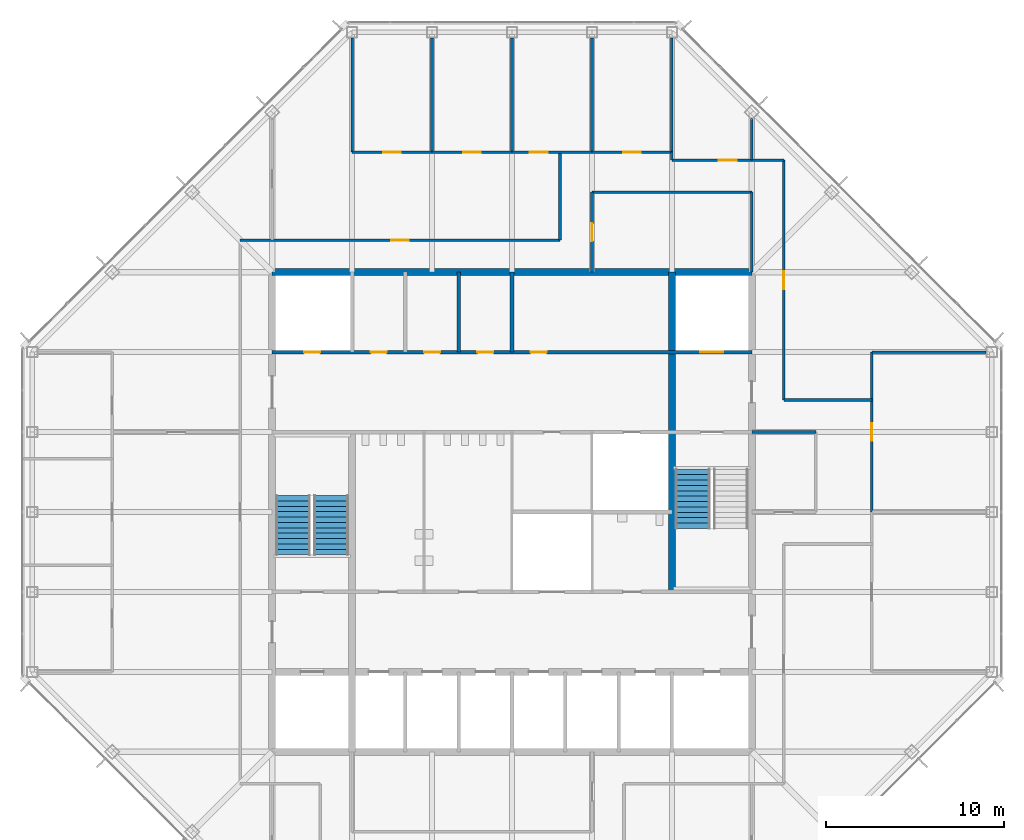
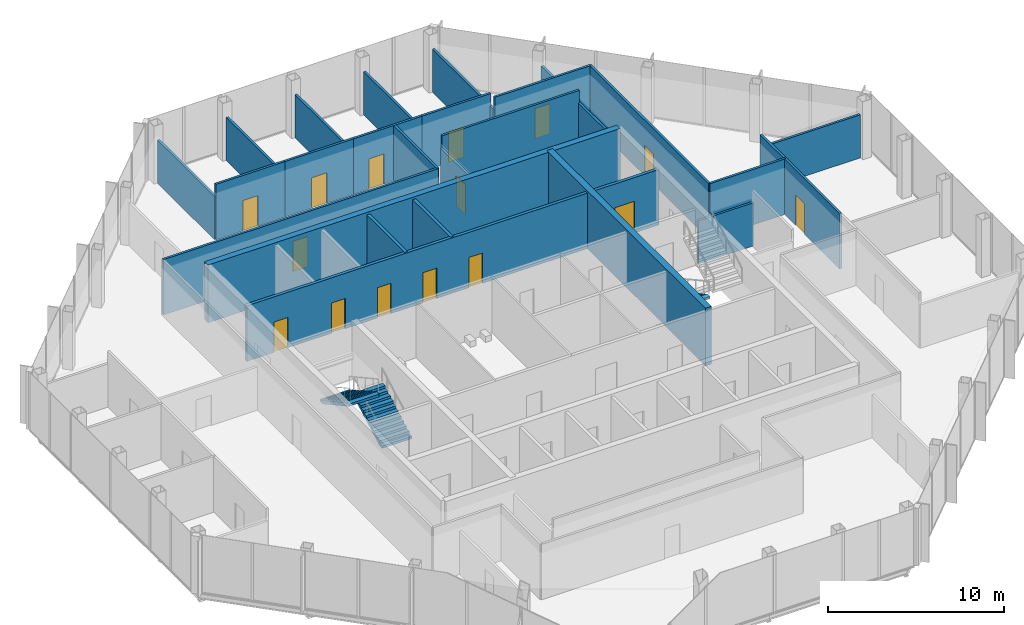
# One storey, part 11 of 14: 27 walls, 15 doors, 3 stair flights, 15 openings, 2 elements without a shape of their own.
"""IFC4 building model written with IfcOpenShell, lengths in metres."""

from ifc_helpers import new_model, si_unit, direction, frame, frame_2d, origin, place, context, subcontext, project, spatial, polyline, rectangle, outline, extrude, material, layer, layer_set, type_object, element, fill, aggregate, save


model = new_model("IFC4")

# Units and contexts
model_context = context("Model", 3, precision=1e-05, world=origin(), true_north=direction((0.0, 1.0)))
body_context = subcontext(model_context, "Body", "Model", "MODEL_VIEW")
ifc_project = project(units=[si_unit("LENGTHUNIT", "METRE"), si_unit("AREAUNIT", "SQUARE_METRE"), si_unit("VOLUMEUNIT", "CUBIC_METRE"), si_unit("PLANEANGLEUNIT", "RADIAN"), si_unit("MASSUNIT", "GRAM", prefix="KILO")], contexts=[model_context])

# Site, building, storey
site_placement = place(None, origin())
site = spatial("IfcSite", under=ifc_project, at=site_placement, CompositionType="ELEMENT")
building_placement = place(site_placement, origin())
building = spatial("IfcBuilding", under=site, at=building_placement, Name="Corais Broadcast Tower", CompositionType="ELEMENT")
storey_placement = place(building_placement, frame((0.0, 0.0, 290.60009765625)))
storey = spatial("IfcBuildingStorey", under=building, at=storey_placement, Name="L68", CompositionType="ELEMENT", Elevation=290.60009765625)

# Walls
ifc_material_1 = material(Name="Concrete C50/60", Category="concrete")
ifc_layer_1 = layer(ifc_material_1, 0.39990234375)
ifc_layer_set_1 = layer_set([ifc_layer_1], Name="Concrete C50/60")
wall_type_1 = type_object("IfcWallType", Name="Core wall 400", PredefinedType="SHEAR", material=ifc_layer_set_1)
wall_1_placement = place(storey_placement, frame((40.5, 40.5, 0.0), z_axis=(0.0, 0.0, 1.0), x_axis=(-1.0, 0.0, 0.0)))
element("IfcWall", 1, at=wall_1_placement, inside=storey, type_object=wall_type_1, Name="CR400 core wall N L68", PredefinedType="SHEAR", context=body_context, shape_type="SweptSolid", body=[
    extrude(rectangle(XDim=27.0, YDim=0.39990234375, at=frame_2d((13.5, 0.0))), origin(), (0.0, 0.0, 1.0), 4.0),
])
wall_2_placement = place(storey_placement, frame((36.0, 22.5, 0.0), z_axis=(0.0, 0.0, 1.0), x_axis=(0.0, 1.0, 0.0)))
element("IfcWall", 2, at=wall_2_placement, inside=storey, type_object=wall_type_1, Name="CR400 core wall X36B L68", PredefinedType="SHEAR", context=body_context, shape_type="SweptSolid", body=[
    extrude(rectangle(XDim=18.0, YDim=0.39990234375, at=frame_2d((9.0, 0.0))), origin(), (0.0, 0.0, 1.0), 4.0),
])

# Wall, openings, doors
ifc_material_2 = material(Name="Concrete blockwork class A, grouted, four-hour", Category="masonry")
ifc_layer_2 = layer(ifc_material_2, 0.199951171875)
ifc_layer_set_2 = layer_set([ifc_layer_2], Name="Concrete blockwork class A, grouted, four-hour")
wall_type_2 = type_object("IfcWallType", Name="Emergency lift shaft wall 200", PredefinedType="SOLIDWALL", material=ifc_layer_set_2)
wall_3_placement = place(storey_placement, frame((13.5, 36.0, 0.0), z_axis=(0.0, 0.0, 1.0), x_axis=(1.0, 0.0, 0.0)))
wall_3 = element("IfcWall", 3, at=wall_3_placement, inside=storey, type_object=wall_type_2, Name="LS3 core lobby wall Y36 L68", PredefinedType="SOLIDWALL", context=body_context, shape_type="SweptSolid", body=[
    extrude(rectangle(XDim=27.0, YDim=0.199951171875, at=frame_2d((13.5, 0.0))), origin(), (0.0, 0.0, 1.0), 3.83984375),
])
opening_1_placement = place(wall_3_placement, frame((1.800048828125, 0.0, 0.0)))
opening_1 = element("IfcOpeningElement", 4, at=opening_1_placement, cuts=wall_3, Name="Opening RD1", PredefinedType="OPENING", context=body_context, shape_type="SweptSolid", body=[
    extrude(rectangle(XDim=0.89990234375, YDim=2.10009765625, at=frame_2d((0.449951171875, 1.050048828125))), frame((0.0, 0.10986328125, 0.0), z_axis=(0.0, -1.0, 0.0), x_axis=(1.0, 0.0, 0.0)), (0.0, 0.0, 1.0), 0.219970703125),
])
opening_2_placement = place(wall_3_placement, frame((5.550048828125, 0.0, 0.0)))
opening_2 = element("IfcOpeningElement", 5, at=opening_2_placement, cuts=wall_3, Name="Opening RD1", PredefinedType="OPENING", context=body_context, shape_type="SweptSolid", body=[
    extrude(rectangle(XDim=0.89990234375, YDim=2.10009765625, at=frame_2d((0.449951171875, 1.050048828125))), frame((0.0, 0.10986328125, 0.0), z_axis=(0.0, -1.0, 0.0), x_axis=(1.0, 0.0, 0.0)), (0.0, 0.0, 1.0), 0.219970703125),
])
opening_3_placement = place(wall_3_placement, frame((8.550048828125, 0.0, 0.0)))
opening_3 = element("IfcOpeningElement", 6, at=opening_3_placement, cuts=wall_3, Name="Opening RD1", PredefinedType="OPENING", context=body_context, shape_type="SweptSolid", body=[
    extrude(rectangle(XDim=0.89990234375, YDim=2.10009765625, at=frame_2d((0.449951171875, 1.050048828125))), frame((0.0, 0.10986328125, 0.0), z_axis=(0.0, -1.0, 0.0), x_axis=(1.0, 0.0, 0.0)), (0.0, 0.0, 1.0), 0.219970703125),
])
opening_4_placement = place(wall_3_placement, frame((11.550048828125, 0.0, 0.0)))
opening_4 = element("IfcOpeningElement", 7, at=opening_4_placement, cuts=wall_3, Name="Opening RD1", PredefinedType="OPENING", context=body_context, shape_type="SweptSolid", body=[
    extrude(rectangle(XDim=0.89990234375, YDim=2.10009765625, at=frame_2d((0.449951171875, 1.050048828125))), frame((0.0, 0.10986328125, 0.0), z_axis=(0.0, -1.0, 0.0), x_axis=(1.0, 0.0, 0.0)), (0.0, 0.0, 1.0), 0.219970703125),
])
opening_5_placement = place(wall_3_placement, frame((14.550048828125, 0.0, 0.0)))
opening_5 = element("IfcOpeningElement", 8, at=opening_5_placement, cuts=wall_3, Name="Opening RD1", PredefinedType="OPENING", context=body_context, shape_type="SweptSolid", body=[
    extrude(rectangle(XDim=0.89990234375, YDim=2.10009765625, at=frame_2d((0.449951171875, 1.050048828125))), frame((0.0, 0.10986328125, 0.0), z_axis=(0.0, -1.0, 0.0), x_axis=(1.0, 0.0, 0.0)), (0.0, 0.0, 1.0), 0.219970703125),
])
opening_6_placement = place(wall_3_placement, frame((24.10009765625, 0.0, 0.0)))
opening_6 = element("IfcOpeningElement", 9, at=opening_6_placement, cuts=wall_3, Name="Opening LD2", PredefinedType="OPENING", context=body_context, shape_type="SweptSolid", body=[
    extrude(rectangle(XDim=1.300048828125, YDim=2.199951171875, at=frame_2d((0.64990234375, 1.10009765625))), frame((0.0, 0.10986328125, 0.0), z_axis=(0.0, -1.0, 0.0), x_axis=(1.0, 0.0, 0.0)), (0.0, 0.0, 1.0), 0.219970703125),
])
ifc_material_3 = material(Name="Stainless steel lift door", Category="steel")
door_type_1 = type_object("IfcDoorType", Name="Lift landing door 1300x2200", OperationType="SLIDING_TO_LEFT", PredefinedType="DOOR", material=ifc_material_3)
door_1_placement = place(opening_6_placement, origin())
door_1 = element("IfcDoor", 10, at=door_1_placement, inside=storey, type_object=door_type_1, Name="LD2 FL2 landing door L68", OperationType="SLIDING_TO_LEFT", OverallHeight=2.199951171875, OverallWidth=1.300048828125, PredefinedType="DOOR", context=body_context, shape_type="SweptSolid", body=[
    extrude(rectangle(XDim=1.300048828125, YDim=2.199951171875, at=frame_2d((0.64990234375, 1.10009765625))), frame((0.0, 0.02490234375, 0.0), z_axis=(0.0, -1.0, 0.0), x_axis=(1.0, 0.0, 0.0)), (0.0, 0.0, 1.0), 0.050048828125),
])
fill(opening_6, door_1)
ifc_material_4 = material(Name="Steel fire door", Category="steel")
door_type_2 = type_object("IfcDoorType", Name="Riser door 900x2100", OperationType="SINGLE_SWING_LEFT", PredefinedType="DOOR", material=ifc_material_4)
door_2_placement = place(opening_1_placement, origin())
door_2 = element("IfcDoor", 11, at=door_2_placement, inside=storey, type_object=door_type_2, Name="RD1 riser door L68", OperationType="SINGLE_SWING_LEFT", OverallHeight=2.10009765625, OverallWidth=0.89990234375, PredefinedType="DOOR", context=body_context, shape_type="SweptSolid", body=[
    extrude(rectangle(XDim=0.89990234375, YDim=2.10009765625, at=frame_2d((0.449951171875, 1.050048828125))), frame((0.0, 0.02490234375, 0.0), z_axis=(0.0, -1.0, 0.0), x_axis=(1.0, 0.0, 0.0)), (0.0, 0.0, 1.0), 0.050048828125),
])
fill(opening_1, door_2)
door_3_placement = place(opening_2_placement, origin())
door_3 = element("IfcDoor", 12, at=door_3_placement, inside=storey, type_object=door_type_2, Name="RD1 vending room door L68", OperationType="SINGLE_SWING_LEFT", OverallHeight=2.10009765625, OverallWidth=0.89990234375, PredefinedType="DOOR", context=body_context, shape_type="SweptSolid", body=[
    extrude(rectangle(XDim=0.89990234375, YDim=2.10009765625, at=frame_2d((0.449951171875, 1.050048828125))), frame((0.0, 0.02490234375, 0.0), z_axis=(0.0, -1.0, 0.0), x_axis=(1.0, 0.0, 0.0)), (0.0, 0.0, 1.0), 0.050048828125),
])
fill(opening_2, door_3)
door_4_placement = place(opening_3_placement, origin())
door_4 = element("IfcDoor", 13, at=door_4_placement, inside=storey, type_object=door_type_2, Name="RD1 av equipment room door L68", OperationType="SINGLE_SWING_LEFT", OverallHeight=2.10009765625, OverallWidth=0.89990234375, PredefinedType="DOOR", context=body_context, shape_type="SweptSolid", body=[
    extrude(rectangle(XDim=0.89990234375, YDim=2.10009765625, at=frame_2d((0.449951171875, 1.050048828125))), frame((0.0, 0.02490234375, 0.0), z_axis=(0.0, -1.0, 0.0), x_axis=(1.0, 0.0, 0.0)), (0.0, 0.0, 1.0), 0.050048828125),
])
fill(opening_3, door_4)
door_5_placement = place(opening_4_placement, origin())
door_5 = element("IfcDoor", 14, at=door_5_placement, inside=storey, type_object=door_type_2, Name="RD1 media store door L68", OperationType="SINGLE_SWING_LEFT", OverallHeight=2.10009765625, OverallWidth=0.89990234375, PredefinedType="DOOR", context=body_context, shape_type="SweptSolid", body=[
    extrude(rectangle(XDim=0.89990234375, YDim=2.10009765625, at=frame_2d((0.449951171875, 1.050048828125))), frame((0.0, 0.02490234375, 0.0), z_axis=(0.0, -1.0, 0.0), x_axis=(1.0, 0.0, 0.0)), (0.0, 0.0, 1.0), 0.050048828125),
])
fill(opening_4, door_5)
door_6_placement = place(opening_5_placement, origin())
door_6 = element("IfcDoor", 15, at=door_6_placement, inside=storey, type_object=door_type_2, Name="RD1 tea point door L68", OperationType="SINGLE_SWING_RIGHT", OverallHeight=2.10009765625, OverallWidth=0.89990234375, PredefinedType="DOOR", context=body_context, shape_type="SweptSolid", body=[
    extrude(rectangle(XDim=0.89990234375, YDim=2.10009765625, at=frame_2d((0.449951171875, 1.050048828125))), frame((0.0, 0.02490234375, 0.0), z_axis=(0.0, -1.0, 0.0), x_axis=(1.0, 0.0, 0.0)), (0.0, 0.0, 1.0), 0.050048828125),
])
fill(opening_5, door_6)

# Wall, opening, door
ifc_material_5 = material(Name="Gypsum board on steel studs", Category="steel")
ifc_layer_3 = layer(ifc_material_5, 0.14990234375)
ifc_layer_set_3 = layer_set([ifc_layer_3], Name="Gypsum board on steel studs")
wall_type_3 = type_object("IfcWallType", Name="Partition 150", PredefinedType="PARTITIONING", material=ifc_layer_set_3)
wall_4_placement = place(storey_placement, frame((29.699951171875, 42.300048828125, 0.0), z_axis=(0.0, 0.0, 1.0), x_axis=(-1.0, 0.0, 0.0)))
wall_4 = element("IfcWall", 16, at=wall_4_placement, inside=storey, type_object=wall_type_3, Name="IW3 corridor wall L68", PredefinedType="PARTITIONING", context=body_context, shape_type="SweptSolid", body=[
    extrude(rectangle(XDim=18.0, YDim=0.14990234375, at=frame_2d((9.0, 0.0))), origin(), (0.0, 0.0, 1.0), 3.83984375),
])
opening_7_placement = place(wall_4_placement, frame((8.5, 0.0, 0.0)))
opening_7 = element("IfcOpeningElement", 17, at=opening_7_placement, cuts=wall_4, Name="Opening D1", PredefinedType="OPENING", context=body_context, shape_type="SweptSolid", body=[
    extrude(rectangle(XDim=1.0, YDim=2.10009765625, at=frame_2d((0.5, 1.050048828125))), frame((0.0, 0.0849609375, 0.0), z_axis=(0.0, -1.0, 0.0), x_axis=(1.0, 0.0, 0.0)), (0.0, 0.0, 1.0), 0.169921875),
])
ifc_material_6 = material(Name="Timber door", Category="wood")
door_type_3 = type_object("IfcDoorType", Name="Single door 1000x2100", OperationType="SINGLE_SWING_LEFT", PredefinedType="DOOR", material=ifc_material_6)
door_7_placement = place(opening_7_placement, origin())
door_7 = element("IfcDoor", 18, at=door_7_placement, inside=storey, type_object=door_type_3, Name="D1 workplace door L68", OperationType="SINGLE_SWING_LEFT", OverallHeight=2.10009765625, OverallWidth=1.0, PredefinedType="DOOR", context=body_context, shape_type="SweptSolid", body=[
    extrude(rectangle(XDim=1.0, YDim=2.10009765625, at=frame_2d((0.5, 1.050048828125))), frame((0.0, 0.02490234375, 0.0), z_axis=(0.0, -1.0, 0.0), x_axis=(1.0, 0.0, 0.0)), (0.0, 0.0, 1.0), 0.050048828125),
])
fill(opening_7, door_7)

# Wall
wall_5_placement = place(storey_placement, frame((29.699951171875, 47.25, 0.0), z_axis=(0.0, 0.0, 1.0), x_axis=(0.0, -1.0, 0.0)))
element("IfcWall", 19, at=wall_5_placement, inside=storey, type_object=wall_type_3, Name="IW3 corridor wall L68", PredefinedType="PARTITIONING", context=body_context, shape_type="SweptSolid", body=[
    extrude(rectangle(XDim=4.949951171875, YDim=0.14990234375, at=frame_2d((2.47509765625, 0.0))), origin(), (0.0, 0.0, 1.0), 3.83984375),
])

# Wall, opening, door
wall_6_placement = place(storey_placement, frame((42.300048828125, 33.300048828125, 0.0), z_axis=(0.0, 0.0, 1.0), x_axis=(0.0, 1.0, 0.0)))
wall_6 = element("IfcWall", 20, at=wall_6_placement, inside=storey, type_object=wall_type_3, Name="IW3 corridor wall L68", PredefinedType="PARTITIONING", context=body_context, shape_type="SweptSolid", body=[
    extrude(rectangle(XDim=13.5, YDim=0.14990234375, at=frame_2d((6.75, 0.0))), origin(), (0.0, 0.0, 1.0), 3.83984375),
])
opening_8_placement = place(wall_6_placement, frame((6.25, 0.0, 0.0)))
opening_8 = element("IfcOpeningElement", 21, at=opening_8_placement, cuts=wall_6, Name="Opening D1", PredefinedType="OPENING", context=body_context, shape_type="SweptSolid", body=[
    extrude(rectangle(XDim=1.0, YDim=2.10009765625, at=frame_2d((0.5, 1.050048828125))), frame((0.0, 0.0849609375, 0.0), z_axis=(0.0, -1.0, 0.0), x_axis=(1.0, 0.0, 0.0)), (0.0, 0.0, 1.0), 0.169921875),
])
door_8_placement = place(opening_8_placement, origin())
door_8 = element("IfcDoor", 22, at=door_8_placement, inside=storey, type_object=door_type_3, Name="D1 workplace door L68", OperationType="SINGLE_SWING_LEFT", OverallHeight=2.10009765625, OverallWidth=1.0, PredefinedType="DOOR", context=body_context, shape_type="SweptSolid", body=[
    extrude(rectangle(XDim=1.0, YDim=2.10009765625, at=frame_2d((0.5, 1.050048828125))), frame((0.0, 0.02490234375, 0.0), z_axis=(0.0, -1.0, 0.0), x_axis=(1.0, 0.0, 0.0)), (0.0, 0.0, 1.0), 0.050048828125),
])
fill(opening_8, door_8)

wall_7_placement = place(storey_placement, frame((42.300048828125, 46.800048828125, 0.0), z_axis=(0.0, 0.0, 1.0), x_axis=(-1.0, 0.0, 0.0)))
wall_7 = element("IfcWall", 23, at=wall_7_placement, inside=storey, type_object=wall_type_3, Name="IW3 corridor wall L68", PredefinedType="PARTITIONING", context=body_context, shape_type="SweptSolid", body=[
    extrude(rectangle(XDim=6.300048828125, YDim=0.14990234375, at=frame_2d((3.14990234375, 0.0))), origin(), (0.0, 0.0, 1.0), 3.83984375),
])
opening_9_placement = place(wall_7_placement, frame((2.64990234375, 0.0, 0.0)))
opening_9 = element("IfcOpeningElement", 24, at=opening_9_placement, cuts=wall_7, Name="Opening D1", PredefinedType="OPENING", context=body_context, shape_type="SweptSolid", body=[
    extrude(rectangle(XDim=1.0, YDim=2.10009765625, at=frame_2d((0.5, 1.050048828125))), frame((0.0, 0.0849609375, 0.0), z_axis=(0.0, -1.0, 0.0), x_axis=(1.0, 0.0, 0.0)), (0.0, 0.0, 1.0), 0.169921875),
])
door_9_placement = place(opening_9_placement, origin())
door_9 = element("IfcDoor", 25, at=door_9_placement, inside=storey, type_object=door_type_3, Name="D1 workplace door L68", OperationType="SINGLE_SWING_LEFT", OverallHeight=2.10009765625, OverallWidth=1.0, PredefinedType="DOOR", context=body_context, shape_type="SweptSolid", body=[
    extrude(rectangle(XDim=1.0, YDim=2.10009765625, at=frame_2d((0.5, 1.050048828125))), frame((0.0, 0.02490234375, 0.0), z_axis=(0.0, -1.0, 0.0), x_axis=(1.0, 0.0, 0.0)), (0.0, 0.0, 1.0), 0.050048828125),
])
fill(opening_9, door_9)

# Walls
wall_8_placement = place(storey_placement, frame((47.25, 33.300048828125, 0.0), z_axis=(0.0, 0.0, 1.0), x_axis=(-1.0, 0.0, 0.0)))
element("IfcWall", 26, at=wall_8_placement, inside=storey, type_object=wall_type_3, Name="IW3 corridor wall L68", PredefinedType="PARTITIONING", context=body_context, shape_type="SweptSolid", body=[
    extrude(rectangle(XDim=4.949951171875, YDim=0.14990234375, at=frame_2d((2.47509765625, 0.0))), origin(), (0.0, 0.0, 1.0), 3.83984375),
])
wall_9_placement = place(storey_placement, frame((36.0, 46.800048828125, 0.0), z_axis=(0.0, 0.0, 1.0), x_axis=(0.0, 1.0, 0.0)))
element("IfcWall", 27, at=wall_9_placement, inside=storey, type_object=wall_type_3, Name="IW3 corridor wall L68", PredefinedType="PARTITIONING", context=body_context, shape_type="SweptSolid", body=[
    extrude(rectangle(XDim=0.4599609375, YDim=0.14990234375, at=frame_2d((0.22998046875, 0.0))), origin(), (0.0, 0.0, 1.0), 2.989013671875),
])
wall_10_placement = place(storey_placement, frame((40.5, 40.5, 0.0), z_axis=(0.0, 0.0, 1.0), x_axis=(0.0, 1.0, 0.0)))
element("IfcWall", 28, at=wall_10_placement, inside=storey, type_object=wall_type_3, Name="IW3 partition L68", PredefinedType="PARTITIONING", context=body_context, shape_type="SweptSolid", body=[
    extrude(rectangle(XDim=4.5, YDim=0.14990234375, at=frame_2d((2.25, 0.0))), origin(), (0.0, 0.0, 1.0), 2.989013671875),
])
wall_11_placement = place(storey_placement, frame((40.5, 45.0, 0.0), z_axis=(0.0, 0.0, 1.0), x_axis=(-1.0, 0.0, 0.0)))
element("IfcWall", 29, at=wall_11_placement, inside=storey, type_object=wall_type_3, Name="IW3 partition L68", PredefinedType="PARTITIONING", context=body_context, shape_type="SweptSolid", body=[
    extrude(rectangle(XDim=9.0, YDim=0.14990234375, at=frame_2d((4.5, 0.0))), origin(), (0.0, 0.0, 1.0), 3.83984375),
])

# Wall, opening, door
wall_12_placement = place(storey_placement, frame((31.5, 45.0, 0.0), z_axis=(0.0, 0.0, 1.0), x_axis=(0.0, -1.0, 0.0)))
wall_12 = element("IfcWall", 30, at=wall_12_placement, inside=storey, type_object=wall_type_3, Name="IW3 partition L68", PredefinedType="PARTITIONING", context=body_context, shape_type="SweptSolid", body=[
    extrude(rectangle(XDim=4.5, YDim=0.14990234375, at=frame_2d((2.25, 0.0))), origin(), (0.0, 0.0, 1.0), 2.989013671875),
])
opening_10_placement = place(wall_12_placement, frame((1.75, 0.0, 0.0)))
opening_10 = element("IfcOpeningElement", 31, at=opening_10_placement, cuts=wall_12, Name="Opening D1", PredefinedType="OPENING", context=body_context, shape_type="SweptSolid", body=[
    extrude(rectangle(XDim=1.0, YDim=2.10009765625, at=frame_2d((0.5, 1.050048828125))), frame((0.0, 0.0849609375, 0.0), z_axis=(0.0, -1.0, 0.0), x_axis=(1.0, 0.0, 0.0)), (0.0, 0.0, 1.0), 0.169921875),
])
door_10_placement = place(opening_10_placement, origin())
door_10 = element("IfcDoor", 32, at=door_10_placement, inside=storey, type_object=door_type_3, Name="D1 Secretariat workroom door", OperationType="SINGLE_SWING_LEFT", OverallHeight=2.10009765625, OverallWidth=1.0, PredefinedType="DOOR", context=body_context, shape_type="SweptSolid", body=[
    extrude(rectangle(XDim=1.0, YDim=2.10009765625, at=frame_2d((0.5, 1.050048828125))), frame((0.0, 0.02490234375, 0.0), z_axis=(0.0, -1.0, 0.0), x_axis=(1.0, 0.0, 0.0)), (0.0, 0.0, 1.0), 0.050048828125),
])
fill(opening_10, door_10)

# Walls
wall_13_placement = place(storey_placement, frame((44.10009765625, 31.5, 0.0), z_axis=(0.0, 0.0, 1.0), x_axis=(-1.0, 0.0, 0.0)))
element("IfcWall", 33, at=wall_13_placement, inside=storey, type_object=wall_type_3, Name="IW3 partition L68", PredefinedType="PARTITIONING", context=body_context, shape_type="SweptSolid", body=[
    extrude(rectangle(XDim=3.60009765625, YDim=0.14990234375, at=frame_2d((1.800048828125, 0.0))), origin(), (0.0, 0.0, 1.0), 2.989013671875),
])
wall_14_placement = place(storey_placement, frame((53.68994140625, 36.0, 0.0), z_axis=(0.0, 0.0, 1.0), x_axis=(-1.0, 0.0, 0.0)))
element("IfcWall", 34, at=wall_14_placement, inside=storey, type_object=wall_type_3, Name="IW3 partition L68", PredefinedType="PARTITIONING", context=body_context, shape_type="SweptSolid", body=[
    extrude(rectangle(XDim=6.43994140625, YDim=0.14990234375, at=frame_2d((3.219970703125, 0.0))), origin(), (0.0, 0.0, 1.0), 2.989013671875),
])

# Wall, opening, door
wall_15_placement = place(storey_placement, frame((47.25, 36.0, 0.0), z_axis=(0.0, 0.0, 1.0), x_axis=(0.0, -1.0, 0.0)))
wall_15 = element("IfcWall", 35, at=wall_15_placement, inside=storey, type_object=wall_type_3, Name="IW3 partition L68", PredefinedType="PARTITIONING", context=body_context, shape_type="SweptSolid", body=[
    extrude(rectangle(XDim=9.0, YDim=0.14990234375, at=frame_2d((4.5, 0.0))), origin(), (0.0, 0.0, 1.0), 3.83984375),
])
opening_11_placement = place(wall_15_placement, frame((4.0, 0.0, 0.0)))
opening_11 = element("IfcOpeningElement", 36, at=opening_11_placement, cuts=wall_15, Name="Opening D1", PredefinedType="OPENING", context=body_context, shape_type="SweptSolid", body=[
    extrude(rectangle(XDim=1.0, YDim=2.10009765625, at=frame_2d((0.5, 1.050048828125))), frame((0.0, 0.0849609375, 0.0), z_axis=(0.0, -1.0, 0.0), x_axis=(1.0, 0.0, 0.0)), (0.0, 0.0, 1.0), 0.169921875),
])
door_11_placement = place(opening_11_placement, origin())
door_11 = element("IfcDoor", 37, at=door_11_placement, inside=storey, type_object=door_type_3, Name="D1 Counsel suite door", OperationType="SINGLE_SWING_LEFT", OverallHeight=2.10009765625, OverallWidth=1.0, PredefinedType="DOOR", context=body_context, shape_type="SweptSolid", body=[
    extrude(rectangle(XDim=1.0, YDim=2.10009765625, at=frame_2d((0.5, 1.050048828125))), frame((0.0, 0.02490234375, 0.0), z_axis=(0.0, -1.0, 0.0), x_axis=(1.0, 0.0, 0.0)), (0.0, 0.0, 1.0), 0.050048828125),
])
fill(opening_11, door_11)

wall_16_placement = place(storey_placement, frame((18.0, 47.25, 0.0), z_axis=(0.0, 0.0, 1.0), x_axis=(1.0, 0.0, 0.0)))
wall_16 = element("IfcWall", 38, at=wall_16_placement, inside=storey, type_object=wall_type_3, Name="IW3 partition L68", PredefinedType="PARTITIONING", context=body_context, shape_type="SweptSolid", body=[
    extrude(rectangle(XDim=4.5, YDim=0.14990234375, at=frame_2d((2.25, 0.0))), origin(), (0.0, 0.0, 1.0), 3.83984375),
])
opening_12_placement = place(wall_16_placement, frame((1.75, 0.0, 0.0)))
opening_12 = element("IfcOpeningElement", 39, at=opening_12_placement, cuts=wall_16, Name="Opening D1", PredefinedType="OPENING", context=body_context, shape_type="SweptSolid", body=[
    extrude(rectangle(XDim=1.0, YDim=2.10009765625, at=frame_2d((0.5, 1.050048828125))), frame((0.0, 0.0849609375, 0.0), z_axis=(0.0, -1.0, 0.0), x_axis=(1.0, 0.0, 0.0)), (0.0, 0.0, 1.0), 0.169921875),
])
door_12_placement = place(opening_12_placement, origin())
door_12 = element("IfcDoor", 40, at=door_12_placement, inside=storey, type_object=door_type_3, Name="D1 Interview room door", OperationType="SINGLE_SWING_LEFT", OverallHeight=2.10009765625, OverallWidth=1.0, PredefinedType="DOOR", context=body_context, shape_type="SweptSolid", body=[
    extrude(rectangle(XDim=1.0, YDim=2.10009765625, at=frame_2d((0.5, 1.050048828125))), frame((0.0, 0.02490234375, 0.0), z_axis=(0.0, -1.0, 0.0), x_axis=(1.0, 0.0, 0.0)), (0.0, 0.0, 1.0), 0.050048828125),
])
fill(opening_12, door_12)

# Walls
for number, where, z_axis, x_axis, name in (
    (41, (22.5, 47.25, 0.0), (0.0, 0.0, 1.0), (0.0, 1.0, 0.0), "IW3 partition L68"),
    (42, (18.0, 53.68994140625, 0.0), (0.0, 0.0, 1.0), (0.0, -1.0, 0.0), "IW3 partition L68"),
):
    element("IfcWall", number, at=place(storey_placement, frame(where, z_axis=z_axis, x_axis=x_axis)), inside=storey, type_object=wall_type_3, Name=name, PredefinedType="PARTITIONING", context=body_context, shape_type="SweptSolid", body=[
        extrude(rectangle(XDim=6.43994140625, YDim=0.14990234375, at=frame_2d((3.219970703125, 0.0))), origin(), (0.0, 0.0, 1.0), 2.989013671875),
    ])

# Wall, opening, door
wall_17_placement = place(storey_placement, frame((22.5, 47.25, 0.0), z_axis=(0.0, 0.0, 1.0), x_axis=(1.0, 0.0, 0.0)))
wall_17 = element("IfcWall", 43, at=wall_17_placement, inside=storey, type_object=wall_type_3, Name="IW3 partition L68", PredefinedType="PARTITIONING", context=body_context, shape_type="SweptSolid", body=[
    extrude(rectangle(XDim=4.5, YDim=0.14990234375, at=frame_2d((2.25, 0.0))), origin(), (0.0, 0.0, 1.0), 3.83984375),
])
opening_13_placement = place(wall_17_placement, frame((1.75, 0.0, 0.0)))
opening_13 = element("IfcOpeningElement", 44, at=opening_13_placement, cuts=wall_17, Name="Opening D1", PredefinedType="OPENING", context=body_context, shape_type="SweptSolid", body=[
    extrude(rectangle(XDim=1.0, YDim=2.10009765625, at=frame_2d((0.5, 1.050048828125))), frame((0.0, 0.0849609375, 0.0), z_axis=(0.0, -1.0, 0.0), x_axis=(1.0, 0.0, 0.0)), (0.0, 0.0, 1.0), 0.169921875),
])
door_13_placement = place(opening_13_placement, origin())
door_13 = element("IfcDoor", 45, at=door_13_placement, inside=storey, type_object=door_type_3, Name="D1 Interview room door", OperationType="SINGLE_SWING_LEFT", OverallHeight=2.10009765625, OverallWidth=1.0, PredefinedType="DOOR", context=body_context, shape_type="SweptSolid", body=[
    extrude(rectangle(XDim=1.0, YDim=2.10009765625, at=frame_2d((0.5, 1.050048828125))), frame((0.0, 0.02490234375, 0.0), z_axis=(0.0, -1.0, 0.0), x_axis=(1.0, 0.0, 0.0)), (0.0, 0.0, 1.0), 0.050048828125),
])
fill(opening_13, door_13)

# Wall
wall_18_placement = place(storey_placement, frame((27.0, 47.25, 0.0), z_axis=(0.0, 0.0, 1.0), x_axis=(0.0, 1.0, 0.0)))
element("IfcWall", 46, at=wall_18_placement, inside=storey, type_object=wall_type_3, Name="IW3 partition L68", PredefinedType="PARTITIONING", context=body_context, shape_type="SweptSolid", body=[
    extrude(rectangle(XDim=6.43994140625, YDim=0.14990234375, at=frame_2d((3.219970703125, 0.0))), origin(), (0.0, 0.0, 1.0), 2.989013671875),
])

# Wall, opening, door
wall_19_placement = place(storey_placement, frame((27.0, 47.25, 0.0), z_axis=(0.0, 0.0, 1.0), x_axis=(1.0, 0.0, 0.0)))
wall_19 = element("IfcWall", 47, at=wall_19_placement, inside=storey, type_object=wall_type_3, Name="IW3 partition L68", PredefinedType="PARTITIONING", context=body_context, shape_type="SweptSolid", body=[
    extrude(rectangle(XDim=4.5, YDim=0.14990234375, at=frame_2d((2.25, 0.0))), origin(), (0.0, 0.0, 1.0), 3.83984375),
])
opening_14_placement = place(wall_19_placement, frame((1.0, 0.0, 0.0)))
opening_14 = element("IfcOpeningElement", 48, at=opening_14_placement, cuts=wall_19, Name="Opening D1", PredefinedType="OPENING", context=body_context, shape_type="SweptSolid", body=[
    extrude(rectangle(XDim=1.0, YDim=2.10009765625, at=frame_2d((0.5, 1.050048828125))), frame((0.0, 0.0849609375, 0.0), z_axis=(0.0, -1.0, 0.0), x_axis=(1.0, 0.0, 0.0)), (0.0, 0.0, 1.0), 0.169921875),
])
door_14_placement = place(opening_14_placement, origin())
door_14 = element("IfcDoor", 49, at=door_14_placement, inside=storey, type_object=door_type_3, Name="D1 Interview room door", OperationType="SINGLE_SWING_LEFT", OverallHeight=2.10009765625, OverallWidth=1.0, PredefinedType="DOOR", context=body_context, shape_type="SweptSolid", body=[
    extrude(rectangle(XDim=1.0, YDim=2.10009765625, at=frame_2d((0.5, 1.050048828125))), frame((0.0, 0.02490234375, 0.0), z_axis=(0.0, -1.0, 0.0), x_axis=(1.0, 0.0, 0.0)), (0.0, 0.0, 1.0), 0.050048828125),
])
fill(opening_14, door_14)

# Wall
wall_20_placement = place(storey_placement, frame((31.5, 47.25, 0.0), z_axis=(0.0, 0.0, 1.0), x_axis=(0.0, 1.0, 0.0)))
element("IfcWall", 50, at=wall_20_placement, inside=storey, type_object=wall_type_3, Name="IW3 partition L68", PredefinedType="PARTITIONING", context=body_context, shape_type="SweptSolid", body=[
    extrude(rectangle(XDim=6.43994140625, YDim=0.14990234375, at=frame_2d((3.219970703125, 0.0))), origin(), (0.0, 0.0, 1.0), 2.989013671875),
])

# Wall, opening, door
wall_21_placement = place(storey_placement, frame((31.5, 47.25, 0.0), z_axis=(0.0, 0.0, 1.0), x_axis=(1.0, 0.0, 0.0)))
wall_21 = element("IfcWall", 51, at=wall_21_placement, inside=storey, type_object=wall_type_3, Name="IW3 partition L68", PredefinedType="PARTITIONING", context=body_context, shape_type="SweptSolid", body=[
    extrude(rectangle(XDim=4.5, YDim=0.14990234375, at=frame_2d((2.25, 0.0))), origin(), (0.0, 0.0, 1.0), 3.83984375),
])
opening_15_placement = place(wall_21_placement, frame((1.75, 0.0, 0.0)))
opening_15 = element("IfcOpeningElement", 52, at=opening_15_placement, cuts=wall_21, Name="Opening D1", PredefinedType="OPENING", context=body_context, shape_type="SweptSolid", body=[
    extrude(rectangle(XDim=1.0, YDim=2.10009765625, at=frame_2d((0.5, 1.050048828125))), frame((0.0, 0.0849609375, 0.0), z_axis=(0.0, -1.0, 0.0), x_axis=(1.0, 0.0, 0.0)), (0.0, 0.0, 1.0), 0.169921875),
])
door_15_placement = place(opening_15_placement, origin())
door_15 = element("IfcDoor", 53, at=door_15_placement, inside=storey, type_object=door_type_3, Name="D1 Interview room door", OperationType="SINGLE_SWING_LEFT", OverallHeight=2.10009765625, OverallWidth=1.0, PredefinedType="DOOR", context=body_context, shape_type="SweptSolid", body=[
    extrude(rectangle(XDim=1.0, YDim=2.10009765625, at=frame_2d((0.5, 1.050048828125))), frame((0.0, 0.02490234375, 0.0), z_axis=(0.0, -1.0, 0.0), x_axis=(1.0, 0.0, 0.0)), (0.0, 0.0, 1.0), 0.050048828125),
])
fill(opening_15, door_15)

# Walls
wall_22_placement = place(storey_placement, frame((36.0, 47.25, 0.0), z_axis=(0.0, 0.0, 1.0), x_axis=(0.0, 1.0, 0.0)))
element("IfcWall", 54, at=wall_22_placement, inside=storey, type_object=wall_type_3, Name="IW3 partition L68", PredefinedType="PARTITIONING", context=body_context, shape_type="SweptSolid", body=[
    extrude(rectangle(XDim=6.43994140625, YDim=0.14990234375, at=frame_2d((3.219970703125, 0.0))), origin(), (0.0, 0.0, 1.0), 2.989013671875),
])
wall_23_placement = place(storey_placement, frame((40.5, 49.179931640625, 0.0), z_axis=(0.0, 0.0, 1.0), x_axis=(0.0, -1.0, 0.0)))
element("IfcWall", 55, at=wall_23_placement, inside=storey, type_object=wall_type_3, Name="IW3 partition L68", PredefinedType="PARTITIONING", context=body_context, shape_type="SweptSolid", body=[
    extrude(rectangle(XDim=2.3798828125, YDim=0.14990234375, at=frame_2d((1.18994140625, 0.0))), origin(), (0.0, 0.0, 1.0), 2.989013671875),
])
ifc_material_7 = material(Name="Concrete blockwork class A, grouted, two-hour", Category="masonry")
ifc_layer_4 = layer(ifc_material_7, 0.199951171875)
ifc_layer_set_4 = layer_set([ifc_layer_4], Name="Concrete blockwork class A, grouted, two-hour")
wall_type_4 = type_object("IfcWallType", Name="Shaft wall 200", PredefinedType="PARTITIONING", material=ifc_layer_set_4)
for number, where, z_axis, x_axis, name in (
    (56, (24.0, 36.0, 0.0), (0.0, 0.0, 1.0), (0.0, 1.0, 0.0), "IW1 shaft wall L68"),
    (57, (27.0, 36.0, 0.0), (0.0, 0.0, 1.0), (0.0, 1.0, 0.0), "IW1 shaft wall L68"),
):
    element("IfcWall", number, at=place(storey_placement, frame(where, z_axis=z_axis, x_axis=x_axis)), inside=storey, type_object=wall_type_4, Name=name, PredefinedType="PARTITIONING", context=body_context, shape_type="SweptSolid", body=[
        extrude(rectangle(XDim=4.5, YDim=0.199951171875, at=frame_2d((2.25, 0.0))), origin(), (0.0, 0.0, 1.0), 3.83984375),
    ])

# Stair, stair flights
ifc_material_8 = material(Name="Concrete C30/37", Category="concrete")
stair_type = type_object("IfcStairType", Name="Half-turn stair 4000", PredefinedType="HALF_TURN_STAIR", material=ifc_material_8)
stair_1_placement = place(storey_placement, origin())
stair_1 = element("IfcStair", 58, at=stair_1_placement, inside=storey, type_object=stair_type, Name="Stair A L68", PredefinedType="HALF_TURN_STAIR")
ifc_material_9 = material(Name="Concrete C30/37", Category="concrete")
stair_flight_type = type_object("IfcStairFlightType", Name="Stair flight 4000", PredefinedType="STRAIGHT", material=ifc_material_9)
stair_flight_1_placement = place(storey_placement, frame((16.824951171875, 24.60009765625, 0.0), z_axis=(0.0, 0.0, 1.0), x_axis=(0.0, 1.0, 0.0)))
stair_flight_1 = element("IfcStairFlight", 59, at=stair_flight_1_placement, type_object=stair_flight_type, Name="STA flight 1", NumberOfRisers=12, NumberOfTreads=11, PredefinedType="STRAIGHT", RiserHeight=0.166666667, TreadLength=0.302, context=body_context, shape_type="SweptSolid", body=[
    extrude(outline(polyline([(0.0, 0.0), (0.0, 0.166748046875), (0.302001953125, 0.166748046875), (0.302001953125, 0.333251953125), (0.60400390625, 0.333251953125), (0.60400390625, 0.5), (0.906005859375, 0.5), (0.906005859375, 0.666748046875), (1.2080078125, 0.666748046875), (1.2080078125, 0.833251953125), (1.510009765625, 0.833251953125), (1.510009765625, 1.0), (1.81201171875, 1.0), (1.81201171875, 1.166748046875), (2.114013671875, 1.166748046875), (2.114013671875, 1.333251953125), (2.416015625, 1.333251953125), (2.416015625, 1.5), (2.718017578125, 1.5), (2.718017578125, 1.666748046875), (3.02001953125, 1.666748046875), (3.02001953125, 1.833251953125), (3.322021484375, 1.833251953125), (3.322021484375, 2.0), (3.322021484375, 1.662109375), (0.310302734375, 0.0), (0.0, 0.0)])), frame((0.0, 0.97509765625, 0.0), z_axis=(0.0, -1.0, 0.0), x_axis=(1.0, 0.0, 0.0)), (0.0, 0.0, 1.0), 1.949951171875),
])
stair_flight_2_placement = place(storey_placement, frame((14.675048828125, 27.922119140625, 2.0), z_axis=(0.0, 0.0, 1.0), x_axis=(0.0, -1.0, 0.0)))
stair_flight_2 = element("IfcStairFlight", 60, at=stair_flight_2_placement, type_object=stair_flight_type, Name="STA flight 2", NumberOfRisers=12, NumberOfTreads=11, PredefinedType="STRAIGHT", RiserHeight=0.166666667, TreadLength=0.302, context=body_context, shape_type="SweptSolid", body=[
    extrude(outline(polyline([(0.0, 0.0), (0.0, 0.166748046875), (0.302001953125, 0.166748046875), (0.302001953125, 0.333251953125), (0.60400390625, 0.333251953125), (0.60400390625, 0.5), (0.906005859375, 0.5), (0.906005859375, 0.666748046875), (1.2080078125, 0.666748046875), (1.2080078125, 0.833251953125), (1.510009765625, 0.833251953125), (1.510009765625, 1.0), (1.81201171875, 1.0), (1.81201171875, 1.166748046875), (2.114013671875, 1.166748046875), (2.114013671875, 1.333251953125), (2.416015625, 1.333251953125), (2.416015625, 1.5), (2.718017578125, 1.5), (2.718017578125, 1.666748046875), (3.02001953125, 1.666748046875), (3.02001953125, 1.833251953125), (3.322021484375, 1.833251953125), (3.322021484375, 2.0), (3.322021484375, 1.662109375), (0.310302734375, 0.0), (0.0, 0.0)])), frame((0.0, 0.97509765625, 0.0), z_axis=(0.0, -1.0, 0.0), x_axis=(1.0, 0.0, 0.0)), (0.0, 0.0, 1.0), 1.949951171875),
])
aggregate(stair_1, [stair_flight_1, stair_flight_2])

# Stair, stair flight
stair_2_placement = place(storey_placement, origin())
stair_2 = element("IfcStair", 61, at=stair_2_placement, inside=storey, type_object=stair_type, Name="Stair B L68", PredefinedType="HALF_TURN_STAIR")
stair_flight_3_placement = place(storey_placement, frame((37.175048828125, 29.39990234375, 0.0), z_axis=(0.0, 0.0, 1.0), x_axis=(0.0, -1.0, 0.0)))
stair_flight_3 = element("IfcStairFlight", 62, at=stair_flight_3_placement, type_object=stair_flight_type, Name="STB flight 1", NumberOfRisers=12, NumberOfTreads=11, PredefinedType="STRAIGHT", RiserHeight=0.166666667, TreadLength=0.302, context=body_context, shape_type="SweptSolid", body=[
    extrude(outline(polyline([(0.0, 0.0), (0.0, 0.166748046875), (0.302001953125, 0.166748046875), (0.302001953125, 0.333251953125), (0.60400390625, 0.333251953125), (0.60400390625, 0.5), (0.906005859375, 0.5), (0.906005859375, 0.666748046875), (1.2080078125, 0.666748046875), (1.2080078125, 0.833251953125), (1.510009765625, 0.833251953125), (1.510009765625, 1.0), (1.81201171875, 1.0), (1.81201171875, 1.166748046875), (2.114013671875, 1.166748046875), (2.114013671875, 1.333251953125), (2.416015625, 1.333251953125), (2.416015625, 1.5), (2.718017578125, 1.5), (2.718017578125, 1.666748046875), (3.02001953125, 1.666748046875), (3.02001953125, 1.833251953125), (3.322021484375, 1.833251953125), (3.322021484375, 2.0), (3.322021484375, 1.662109375), (0.310302734375, 0.0), (0.0, 0.0)])), frame((0.0, 0.97509765625, 0.0), z_axis=(0.0, -1.0, 0.0), x_axis=(1.0, 0.0, 0.0)), (0.0, 0.0, 1.0), 1.949951171875),
])
aggregate(stair_2, [stair_flight_3])

save(model, "model.ifc")
